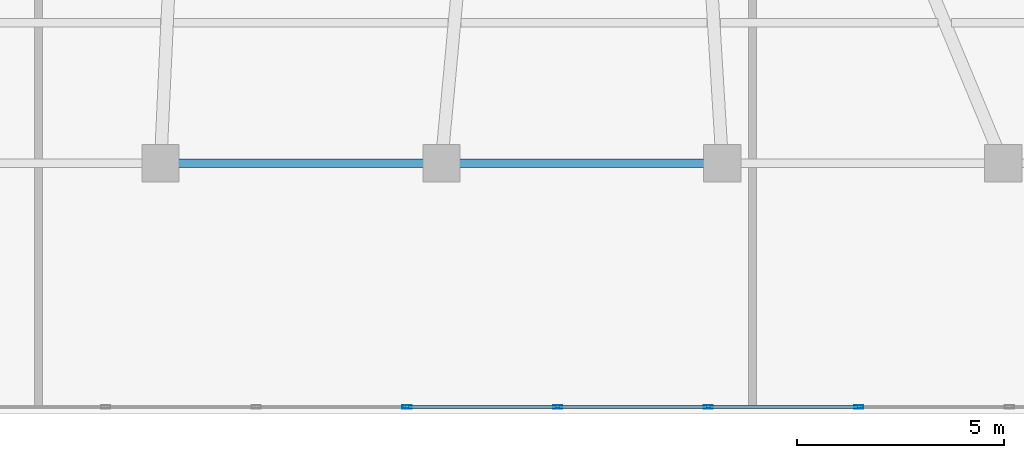
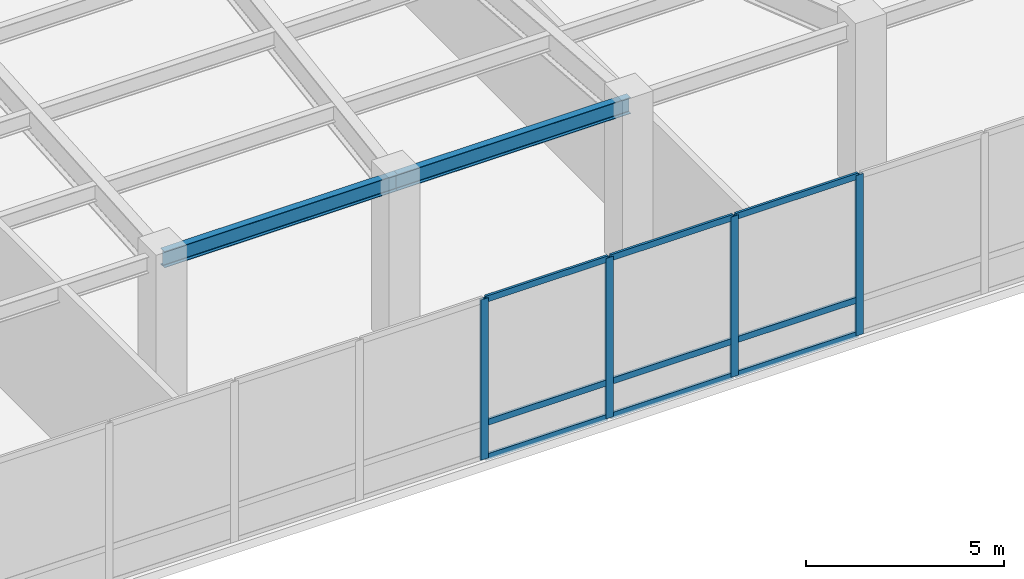
# One storey, part 8 of 19: 13 members, 2 beams, 1 element without a shape of its own.
"""IFC4 building model written with IfcOpenShell, lengths in metres."""

from ifc_helpers import new_model, si_unit, direction, frame, origin, origin_2d, place, context, subcontext, project, spatial, hollow_rectangle, i_section, extrude, material, material_profile, profile_set, type_object, element, aggregate, save


model = new_model("IFC4")

# Units and contexts
model_context = context("Model", 3, precision=1e-05, world=origin(), true_north=direction((0.0, 1.0)))
body_context = subcontext(model_context, "Body", "Model", "MODEL_VIEW")
ifc_project = project(units=[si_unit("LENGTHUNIT", "METRE"), si_unit("AREAUNIT", "SQUARE_METRE"), si_unit("VOLUMEUNIT", "CUBIC_METRE"), si_unit("PLANEANGLEUNIT", "RADIAN"), si_unit("MASSUNIT", "GRAM", prefix="KILO")], contexts=[model_context])

# Site, building, storey
site_placement = place(None, origin())
site = spatial("IfcSite", under=ifc_project, at=site_placement, CompositionType="ELEMENT")
building_placement = place(site_placement, origin())
building = spatial("IfcBuilding", under=site, at=building_placement, Name="Yelkora Congress Tower", CompositionType="ELEMENT")
storey_placement = place(building_placement, frame((0.0, 0.0, 5.199951171875)))
storey = spatial("IfcBuildingStorey", under=building, at=storey_placement, Name="L01", CompositionType="ELEMENT", Elevation=5.199951171875)

# Beams
ifc_material_1 = material(Name="Steel S355J2", Category="steel")
ifc_material_profile_1 = material_profile(ifc_material_1, i_section(OverallWidth=0.199951171875, OverallDepth=0.5, WebThickness=0.01025390625, FlangeThickness=0.01611328125, FilletRadius=0.02099609375, at=origin_2d()), Name="IPE 500")
ifc_profile_set_1 = profile_set([ifc_material_profile_1], Name="Steel S355J2")
beam_type = type_object("IfcBeamType", Name="BM-SPAN-IPE500B", PredefinedType="BEAM", material=ifc_profile_set_1)
for number, where, z_axis, x_axis, name in (
    (1, (45.18994140625, 6.050048828125, 4.68994140625), (1.0, 0.0, 0.0), (0.0, 1.0, 0.0), "L01 Perimeter Beam 8"),
    (2, (51.97998046875, 6.050048828125, 4.68994140625), (1.0, 0.0, 0.0), (0.0, 1.0, 0.0), "L01 Perimeter Beam 9"),
):
    element("IfcBeam", number, at=place(storey_placement, frame(where, z_axis=z_axis, x_axis=x_axis)), inside=storey, type_object=beam_type, Name=name, PredefinedType="BEAM", context=body_context, shape_type="SweptSolid", body=[
        extrude(i_section(OverallWidth=0.199951171875, OverallDepth=0.5, WebThickness=0.01025390625, FlangeThickness=0.01611328125, FilletRadius=0.02099609375, at=origin_2d()), origin(), (0.0, 0.0, 1.0), 6.7900390625),
    ])

# Curtain wall, members
ifc_material_2 = material(Name="Anodised aluminium and insulated glass", Category="aluminium")
curtain_wall_type = type_object("IfcCurtainWallType", Name="CW-SYS-POD", PredefinedType="NOTDEFINED", material=ifc_material_2)
curtain_wall_placement = place(storey_placement, origin())
curtain_wall = element("IfcCurtainWall", 3, at=curtain_wall_placement, inside=storey, type_object=curtain_wall_type, Name="L01 Podium South Curtain Wall", PredefinedType="NOTDEFINED")
ifc_material_3 = material(Name="Anodised aluminium 6063-T6", Category="aluminium")
ifc_material_profile_2 = material_profile(ifc_material_3, hollow_rectangle(XDim=0.074951171875, YDim=0.219970703125, WallThickness=0.0048828125, at=origin_2d()), Name="ALU 75x220x5")
ifc_profile_set_2 = profile_set([ifc_material_profile_2], Name="Anodised aluminium 6063-T6")
member_type_1 = type_object("IfcMemberType", Name="MEM-ML-POD", PredefinedType="MULLION", material=ifc_profile_set_2)
member_1_placement = place(storey_placement, frame((62.072265625, 0.159912109375, 0.0), z_axis=(0.0, 0.0, 1.0), x_axis=(0.0, -1.0, 0.0)))
member_1 = element("IfcMember", 4, at=member_1_placement, type_object=member_type_1, Name="CW-POD mullion 5", PredefinedType="MULLION", context=body_context, shape_type="SweptSolid", body=[
    extrude(hollow_rectangle(XDim=0.074951171875, YDim=0.219970703125, WallThickness=0.0048828125, at=origin_2d()), origin(), (0.0, 0.0, 1.0), 4.93994140625),
])
member_2_placement = place(storey_placement, frame((58.430419921875, 0.159912109375, 0.0), z_axis=(0.0, 0.0, 1.0), x_axis=(0.0, -1.0, 0.0)))
member_2 = element("IfcMember", 5, at=member_2_placement, type_object=member_type_1, Name="CW-POD mullion 6", PredefinedType="MULLION", context=body_context, shape_type="SweptSolid", body=[
    extrude(hollow_rectangle(XDim=0.074951171875, YDim=0.219970703125, WallThickness=0.0048828125, at=origin_2d()), origin(), (0.0, 0.0, 1.0), 4.93994140625),
])
member_3_placement = place(storey_placement, frame((54.78857421875, 0.159912109375, 0.0), z_axis=(0.0, 0.0, 1.0), x_axis=(0.0, -1.0, 0.0)))
member_3 = element("IfcMember", 6, at=member_3_placement, type_object=member_type_1, Name="CW-POD mullion 7", PredefinedType="MULLION", context=body_context, shape_type="SweptSolid", body=[
    extrude(hollow_rectangle(XDim=0.074951171875, YDim=0.219970703125, WallThickness=0.0048828125, at=origin_2d()), origin(), (0.0, 0.0, 1.0), 4.93994140625),
])
member_4_placement = place(storey_placement, frame((51.146728515625, 0.159912109375, 0.0), z_axis=(0.0, 0.0, 1.0), x_axis=(0.0, -1.0, 0.0)))
member_4 = element("IfcMember", 7, at=member_4_placement, type_object=member_type_1, Name="CW-POD mullion 8", PredefinedType="MULLION", context=body_context, shape_type="SweptSolid", body=[
    extrude(hollow_rectangle(XDim=0.074951171875, YDim=0.219970703125, WallThickness=0.0048828125, at=origin_2d()), origin(), (0.0, 0.0, 1.0), 4.93994140625),
])
ifc_material_profile_3 = material_profile(ifc_material_3, hollow_rectangle(XDim=0.070068359375, YDim=0.18994140625, WallThickness=0.00390625, at=origin_2d()), Name="ALU 70x190x4")
ifc_profile_set_3 = profile_set([ifc_material_profile_3], Name="Anodised aluminium 6063-T6")
member_type_2 = type_object("IfcMemberType", Name="MEM-TR-POD", PredefinedType="USERDEFINED", material=ifc_profile_set_3)
member_5_placement = place(storey_placement, frame((62.034912109375, 0.159912109375, 0.03515625), z_axis=(-1.0, 0.0, 0.0), x_axis=(0.0, -1.0, 0.0)))
member_5 = element("IfcMember", 8, at=member_5_placement, type_object=member_type_2, Name="CW-POD transom 5.1", ObjectType="TRANSOM", PredefinedType="USERDEFINED", context=body_context, shape_type="SweptSolid", body=[
    extrude(hollow_rectangle(XDim=0.070068359375, YDim=0.18994140625, WallThickness=0.00390625, at=origin_2d()), origin(), (0.0, 0.0, 1.0), 3.56689453125),
])
member_6_placement = place(storey_placement, frame((62.034912109375, 0.159912109375, 1.10009765625), z_axis=(-1.0, 0.0, 0.0), x_axis=(0.0, -1.0, 0.0)))
member_6 = element("IfcMember", 9, at=member_6_placement, type_object=member_type_2, Name="CW-POD transom 5.2", ObjectType="TRANSOM", PredefinedType="USERDEFINED", context=body_context, shape_type="SweptSolid", body=[
    extrude(hollow_rectangle(XDim=0.070068359375, YDim=0.18994140625, WallThickness=0.00390625, at=origin_2d()), origin(), (0.0, 0.0, 1.0), 3.56689453125),
])
member_7_placement = place(storey_placement, frame((62.034912109375, 0.159912109375, 4.905029296875), z_axis=(-1.0, 0.0, 0.0), x_axis=(0.0, -1.0, 0.0)))
member_7 = element("IfcMember", 10, at=member_7_placement, type_object=member_type_2, Name="CW-POD transom 5.3", ObjectType="TRANSOM", PredefinedType="USERDEFINED", context=body_context, shape_type="SweptSolid", body=[
    extrude(hollow_rectangle(XDim=0.070068359375, YDim=0.18994140625, WallThickness=0.00390625, at=origin_2d()), origin(), (0.0, 0.0, 1.0), 3.56689453125),
])
member_8_placement = place(storey_placement, frame((58.39306640625, 0.159912109375, 0.03515625), z_axis=(-1.0, 0.0, 0.0), x_axis=(0.0, -1.0, 0.0)))
member_8 = element("IfcMember", 11, at=member_8_placement, type_object=member_type_2, Name="CW-POD transom 6.1", ObjectType="TRANSOM", PredefinedType="USERDEFINED", context=body_context, shape_type="SweptSolid", body=[
    extrude(hollow_rectangle(XDim=0.070068359375, YDim=0.18994140625, WallThickness=0.00390625, at=origin_2d()), origin(), (0.0, 0.0, 1.0), 3.56689453125),
])
member_9_placement = place(storey_placement, frame((58.39306640625, 0.159912109375, 1.10009765625), z_axis=(-1.0, 0.0, 0.0), x_axis=(0.0, -1.0, 0.0)))
member_9 = element("IfcMember", 12, at=member_9_placement, type_object=member_type_2, Name="CW-POD transom 6.2", ObjectType="TRANSOM", PredefinedType="USERDEFINED", context=body_context, shape_type="SweptSolid", body=[
    extrude(hollow_rectangle(XDim=0.070068359375, YDim=0.18994140625, WallThickness=0.00390625, at=origin_2d()), origin(), (0.0, 0.0, 1.0), 3.56689453125),
])
member_10_placement = place(storey_placement, frame((58.39306640625, 0.159912109375, 4.905029296875), z_axis=(-1.0, 0.0, 0.0), x_axis=(0.0, -1.0, 0.0)))
member_10 = element("IfcMember", 13, at=member_10_placement, type_object=member_type_2, Name="CW-POD transom 6.3", ObjectType="TRANSOM", PredefinedType="USERDEFINED", context=body_context, shape_type="SweptSolid", body=[
    extrude(hollow_rectangle(XDim=0.070068359375, YDim=0.18994140625, WallThickness=0.00390625, at=origin_2d()), origin(), (0.0, 0.0, 1.0), 3.56689453125),
])
member_11_placement = place(storey_placement, frame((54.7509765625, 0.159912109375, 0.03515625), z_axis=(-1.0, 0.0, 0.0), x_axis=(0.0, -1.0, 0.0)))
member_11 = element("IfcMember", 14, at=member_11_placement, type_object=member_type_2, Name="CW-POD transom 7.1", ObjectType="TRANSOM", PredefinedType="USERDEFINED", context=body_context, shape_type="SweptSolid", body=[
    extrude(hollow_rectangle(XDim=0.070068359375, YDim=0.18994140625, WallThickness=0.00390625, at=origin_2d()), origin(), (0.0, 0.0, 1.0), 3.56689453125),
])
member_12_placement = place(storey_placement, frame((54.7509765625, 0.159912109375, 1.10009765625), z_axis=(-1.0, 0.0, 0.0), x_axis=(0.0, -1.0, 0.0)))
member_12 = element("IfcMember", 15, at=member_12_placement, type_object=member_type_2, Name="CW-POD transom 7.2", ObjectType="TRANSOM", PredefinedType="USERDEFINED", context=body_context, shape_type="SweptSolid", body=[
    extrude(hollow_rectangle(XDim=0.070068359375, YDim=0.18994140625, WallThickness=0.00390625, at=origin_2d()), origin(), (0.0, 0.0, 1.0), 3.56689453125),
])
member_13_placement = place(storey_placement, frame((54.7509765625, 0.159912109375, 4.905029296875), z_axis=(-1.0, 0.0, 0.0), x_axis=(0.0, -1.0, 0.0)))
member_13 = element("IfcMember", 16, at=member_13_placement, type_object=member_type_2, Name="CW-POD transom 7.3", ObjectType="TRANSOM", PredefinedType="USERDEFINED", context=body_context, shape_type="SweptSolid", body=[
    extrude(hollow_rectangle(XDim=0.070068359375, YDim=0.18994140625, WallThickness=0.00390625, at=origin_2d()), origin(), (0.0, 0.0, 1.0), 3.56689453125),
])
aggregate(curtain_wall, [member_1, member_2, member_3, member_4, member_5, member_6, member_7, member_8, member_9, member_10, member_11, member_12, member_13])

save(model, "model.ifc")
